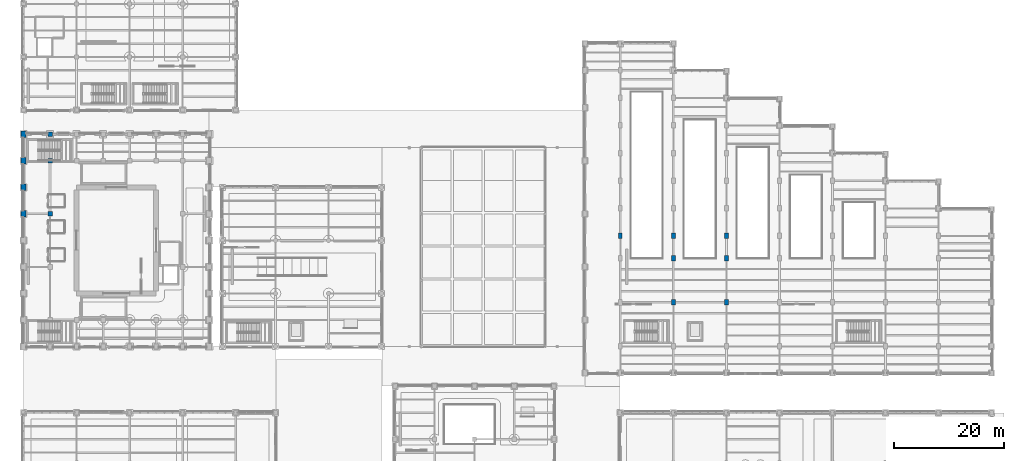
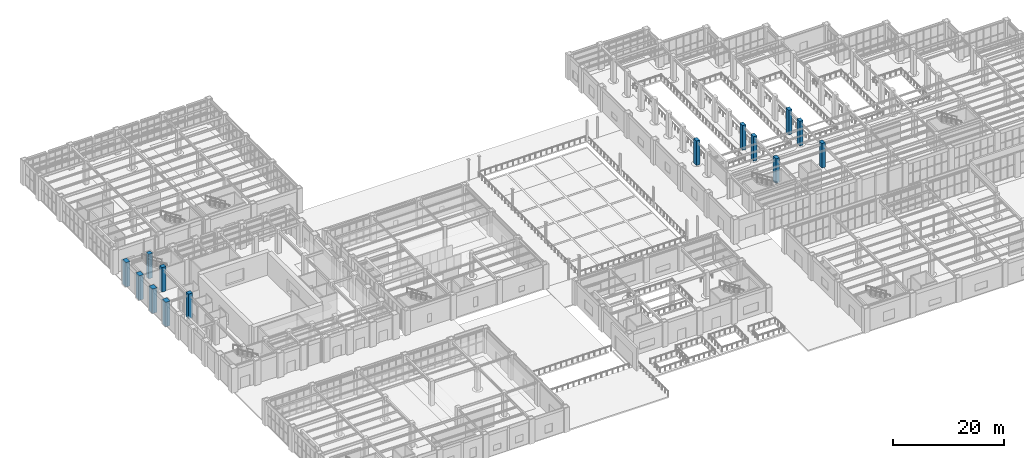
# One storey, part 11 of 164: 14 columns.
"""IFC4 building model written with IfcOpenShell, lengths in metres."""

from ifc_helpers import new_model, si_unit, direction, frame, origin, origin_2d, place, context, subcontext, project, spatial, rectangle, extrude, material, material_profile, profile_set, type_object, element, save


model = new_model("IFC4")

# Units and contexts
model_context = context("Model", 3, precision=1e-05, world=origin(), true_north=direction((0.0, 1.0)))
body_context = subcontext(model_context, "Body", "Model", "MODEL_VIEW")
ifc_project = project(units=[si_unit("LENGTHUNIT", "METRE"), si_unit("AREAUNIT", "SQUARE_METRE"), si_unit("VOLUMEUNIT", "CUBIC_METRE"), si_unit("PLANEANGLEUNIT", "RADIAN"), si_unit("MASSUNIT", "GRAM", prefix="KILO")], contexts=[model_context])

# Site, building, storey
site_placement = place(None, origin())
site = spatial("IfcSite", under=ifc_project, at=site_placement, CompositionType="ELEMENT")
building_placement = place(site_placement, origin())
building = spatial("IfcBuilding", under=site, at=building_placement, Name="Mavantir Sound Aquarium", CompositionType="ELEMENT")
storey_placement = place(building_placement, origin())
storey = spatial("IfcBuildingStorey", under=building, at=storey_placement, Name="L00", CompositionType="ELEMENT", Elevation=0.0)

# Columns
ifc_material = material(Name="Concrete C40/50", Category="concrete")
ifc_material_profile_1 = material_profile(ifc_material, rectangle(XDim=0.699951171875, YDim=1.0, at=origin_2d()), Name="RC 700X1000")
ifc_profile_set_1 = profile_set([ifc_material_profile_1], Name="Concrete C40/50")
column_type_1 = type_object("IfcColumnType", Name="COL-RC700X1000-I", PredefinedType="COLUMN", material=ifc_profile_set_1)
for number, where, z_axis, x_axis, name in (
    (1, (108.0, 60.800048828125, 0.0), (0.0, 0.0, 1.0), (1.0, 0.0, 0.0), "L00 column RC-C710 (V4)"),
    (2, (117.60009765625, 48.800048828125, 0.0), (0.0, 0.0, 1.0), (1.0, 0.0, 0.0), "L00 column RC-C710 (V4)"),
    (3, (117.60009765625, 56.800048828125, 0.0), (0.0, 0.0, 1.0), (1.0, 0.0, 0.0), "L00 column RC-C710 (V4)"),
    (4, (117.60009765625, 60.800048828125, 0.0), (0.0, 0.0, 1.0), (1.0, 0.0, 0.0), "L00 column RC-C710 (V4)"),
    (5, (127.199951171875, 48.800048828125, 0.0), (0.0, 0.0, 1.0), (1.0, 0.0, 0.0), "L00 column RC-C710 (V4)"),
    (6, (127.199951171875, 56.800048828125, 0.0), (0.0, 0.0, 1.0), (1.0, 0.0, 0.0), "L00 column RC-C710 (V4)"),
    (7, (127.199951171875, 60.800048828125, 0.0), (0.0, 0.0, 1.0), (1.0, 0.0, 0.0), "L00 column RC-C710 (V4)"),
):
    element("IfcColumn", number, at=place(storey_placement, frame(where, z_axis=z_axis, x_axis=x_axis)), inside=storey, type_object=column_type_1, Name=name, PredefinedType="COLUMN", context=body_context, shape_type="SweptSolid", body=[
        extrude(rectangle(XDim=0.699951171875, YDim=1.0, at=origin_2d()), origin(), (0.0, 0.0, 1.0), 5.39990234375),
    ])
ifc_material_profile_2 = material_profile(ifc_material, rectangle(XDim=0.85009765625, YDim=0.85009765625, at=origin_2d()), Name="RC 850X850")
ifc_profile_set_2 = profile_set([ifc_material_profile_2], Name="Concrete C40/50")
column_type_2 = type_object("IfcColumnType", Name="COL-RC850-I", PredefinedType="COLUMN", material=ifc_profile_set_2)
for number, where, z_axis, x_axis, name in (
    (8, (4.800048828125, 64.800048828125, 0.0), (0.0, 0.0, 1.0), (1.0, 0.0, 0.0), "L00 column RC-C85 (V1)"),
    (9, (4.800048828125, 74.39990234375, 0.0), (0.0, 0.0, 1.0), (1.0, 0.0, 0.0), "L00 column RC-C85 (V1)"),
    (10, (4.800048828125, 79.199951171875, 0.0), (0.0, 0.0, 1.0), (1.0, 0.0, 0.0), "L00 column RC-C85 (V1)"),
):
    element("IfcColumn", number, at=place(storey_placement, frame(where, z_axis=z_axis, x_axis=x_axis)), inside=storey, type_object=column_type_2, Name=name, PredefinedType="COLUMN", context=body_context, shape_type="SweptSolid", body=[
        extrude(rectangle(XDim=0.85009765625, YDim=0.85009765625, at=origin_2d()), origin(), (0.0, 0.0, 1.0), 5.39990234375),
    ])
ifc_material_profile_3 = material_profile(ifc_material, rectangle(XDim=0.89990234375, YDim=1.199951171875, at=origin_2d()), Name="RC 900X1200")
ifc_profile_set_3 = profile_set([ifc_material_profile_3], Name="Concrete C40/50")
column_type_3 = type_object("IfcColumnType", Name="COL-RC900X1200-E", PredefinedType="COLUMN", material=ifc_profile_set_3)
for number, where, z_axis, x_axis, name in (
    (11, (0.0, 64.800048828125, 0.0), (0.0, 0.0, 1.0), (1.0, 0.0, 0.0), "L00 column RC-C912 (V1)"),
    (12, (0.0, 69.60009765625, 0.0), (0.0, 0.0, 1.0), (1.0, 0.0, 0.0), "L00 column RC-C912 (V1)"),
    (13, (0.0, 74.39990234375, 0.0), (0.0, 0.0, 1.0), (1.0, 0.0, 0.0), "L00 column RC-C912 (V1)"),
    (14, (0.0, 79.199951171875, 0.0), (0.0, 0.0, 1.0), (1.0, 0.0, 0.0), "L00 column RC-C912 (V1)"),
):
    element("IfcColumn", number, at=place(storey_placement, frame(where, z_axis=z_axis, x_axis=x_axis)), inside=storey, type_object=column_type_3, Name=name, PredefinedType="COLUMN", context=body_context, shape_type="SweptSolid", body=[
        extrude(rectangle(XDim=0.89990234375, YDim=1.199951171875, at=origin_2d()), origin(), (0.0, 0.0, 1.0), 5.39990234375),
    ])

save(model, "model.ifc")
